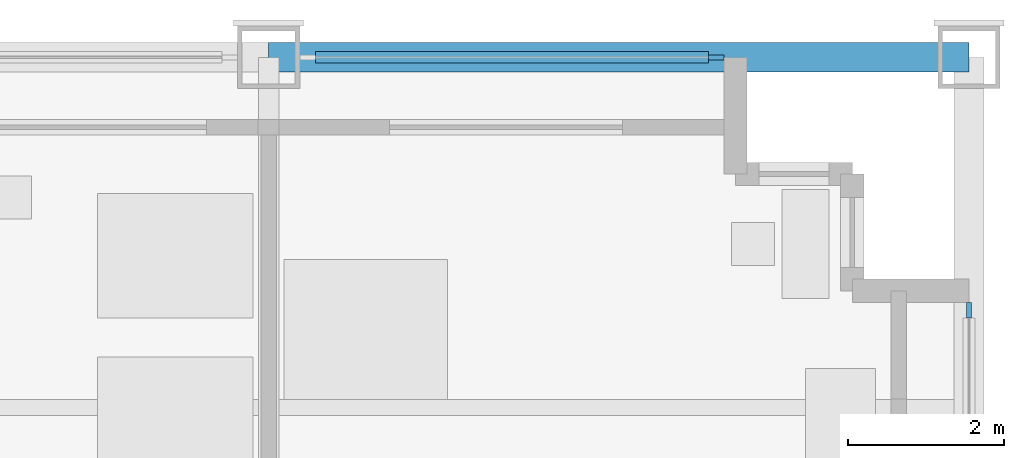
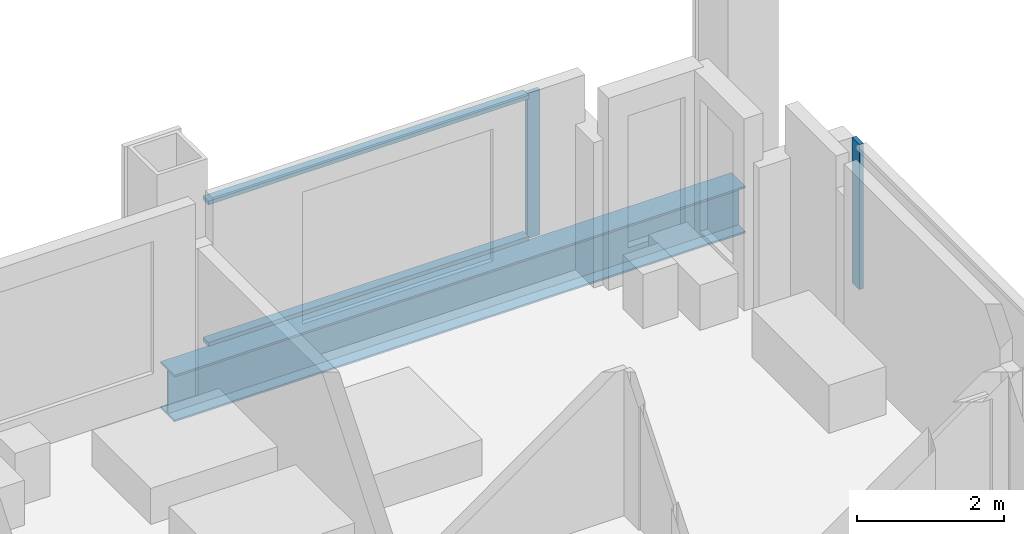
# One storey, part 7 of 16: 4 members, 1 beam, 2 elements without a shape of their own.
"""IFC4 building model written with IfcOpenShell, lengths in metres."""

from ifc_helpers import new_model, si_unit, direction, frame, origin, origin_2d, place, context, subcontext, project, spatial, rectangle, i_section, extrude, material, material_profile, profile_set, type_object, element, aggregate, save


model = new_model("IFC4")

# Units and contexts
model_context = context("Model", 3, precision=1e-05, world=origin(), true_north=direction((0.0, 1.0)))
body_context = subcontext(model_context, "Body", "Model", "MODEL_VIEW")
ifc_project = project(units=[si_unit("LENGTHUNIT", "METRE"), si_unit("AREAUNIT", "SQUARE_METRE"), si_unit("VOLUMEUNIT", "CUBIC_METRE"), si_unit("PLANEANGLEUNIT", "RADIAN"), si_unit("MASSUNIT", "GRAM", prefix="KILO")], contexts=[model_context])

# Site, building, storey
site_placement = place(None, origin())
site = spatial("IfcSite", under=ifc_project, at=site_placement, CompositionType="ELEMENT")
building_placement = place(site_placement, origin())
building = spatial("IfcBuilding", under=site, at=building_placement, Name="Loomwork Tower", CompositionType="ELEMENT")
storey_placement = place(building_placement, frame((0.0, 0.0, 124.800048828125)))
storey = spatial("IfcBuildingStorey", under=building, at=storey_placement, Name="L33", CompositionType="ELEMENT", Elevation=124.800048828125)

# Curtain wall, member
ifc_material_1 = material(Name="Aluminium curtain wall frame", Category="aluminium")
curtain_wall_type = type_object("IfcCurtainWallType", Name="Outer skin glazing hotel", PredefinedType="NOTDEFINED", material=ifc_material_1)
curtain_wall_1_placement = place(storey_placement, origin())
curtain_wall_1 = element("IfcCurtainWall", 1, at=curtain_wall_1_placement, inside=storey, type_object=curtain_wall_type, Name="Outer skin glazing hotel cw/N-36", PredefinedType="NOTDEFINED")
ifc_material_2 = material(Name="Aluminium curtain wall frame", Category="aluminium")
ifc_material_profile_1 = material_profile(ifc_material_2, rectangle(XDim=0.06494140625, YDim=0.199951171875, at=origin_2d()), Name="AL 65x200")
ifc_profile_set_1 = profile_set([ifc_material_profile_1], Name="Aluminium curtain wall frame")
member_type_1 = type_object("IfcMemberType", Name="Outer skin glazing hotel mullion", PredefinedType="MULLION", material=ifc_profile_set_1)
member_1_placement = place(storey_placement, frame((41.75, 36.0, 0.0), z_axis=(0.0, 0.0, 1.0), x_axis=(0.0, -1.0, 0.0)))
member_1 = element("IfcMember", 2, at=member_1_placement, type_object=member_type_1, Name="CW1 mullion 1", PredefinedType="MULLION", context=body_context, shape_type="SweptSolid", body=[
    extrude(rectangle(XDim=0.06494140625, YDim=0.199951171875, at=origin_2d()), origin(), (0.0, 0.0, 1.0), 2.420166015625),
])

curtain_wall_2_placement = place(storey_placement, origin())
curtain_wall_2 = element("IfcCurtainWall", 3, at=curtain_wall_2_placement, inside=storey, type_object=curtain_wall_type, Name="Outer skin glazing hotel cw/E-27", PredefinedType="NOTDEFINED")
member_2_placement = place(storey_placement, frame((45.0, 32.75, 0.0), z_axis=(0.0, 0.0, 1.0), x_axis=(-1.0, 0.0, 0.0)))
member_2 = element("IfcMember", 4, at=member_2_placement, type_object=member_type_1, Name="CW1 mullion 2", PredefinedType="MULLION", context=body_context, shape_type="SweptSolid", body=[
    extrude(rectangle(XDim=0.06494140625, YDim=0.199951171875, at=origin_2d()), origin(), (0.0, 0.0, 1.0), 2.420166015625),
])
aggregate(curtain_wall_2, [member_2])

# Member
ifc_material_3 = material(Name="Aluminium curtain wall frame", Category="aluminium")
ifc_material_profile_2 = material_profile(ifc_material_3, rectangle(XDim=0.14990234375, YDim=0.06494140625, at=origin_2d()), Name="AL 65x150")
ifc_profile_set_2 = profile_set([ifc_material_profile_2], Name="Aluminium curtain wall frame")
member_type_2 = type_object("IfcMemberType", Name="Outer skin glazing hotel transom", PredefinedType="USERDEFINED", material=ifc_profile_set_2)
member_3_placement = place(storey_placement, frame((41.64990234375, 36.0, 0.032470703125), z_axis=(-1.0, 0.0, 0.0), x_axis=(0.0, -1.0, 0.0)))
member_3 = element("IfcMember", 5, at=member_3_placement, type_object=member_type_2, Name="CW1 transom 1.1", ObjectType="TRANSOM", PredefinedType="USERDEFINED", context=body_context, shape_type="SweptSolid", body=[
    extrude(rectangle(XDim=0.14990234375, YDim=0.06494140625, at=origin_2d()), origin(), (0.0, 0.0, 1.0), 5.0498046875),
])

member_4_placement = place(storey_placement, frame((41.64990234375, 36.0, 2.3876953125), z_axis=(-1.0, 0.0, 0.0), x_axis=(0.0, -1.0, 0.0)))
member_4 = element("IfcMember", 6, at=member_4_placement, type_object=member_type_2, Name="CW1 transom 1.2", ObjectType="TRANSOM", PredefinedType="USERDEFINED", context=body_context, shape_type="SweptSolid", body=[
    extrude(rectangle(XDim=0.14990234375, YDim=0.06494140625, at=origin_2d()), origin(), (0.0, 0.0, 1.0), 5.0498046875),
])

aggregate(curtain_wall_1, [member_1, member_3, member_4])

# Beam
ifc_material_4 = material(Name="Steel ASTM A992", Category="steel")
ifc_material_profile_3 = material_profile(ifc_material_4, i_section(OverallWidth=0.381103515625, OverallDepth=0.77978515625, WebThickness=0.01806640625, FlangeThickness=0.0302734375, at=origin_2d()), Name="W30x191")
ifc_profile_set_3 = profile_set([ifc_material_profile_3], Name="Steel ASTM A992")
beam_type = type_object("IfcBeamType", Name="SPANDREL GIRDER W30x191", PredefinedType="SPANDREL", material=ifc_profile_set_3)
beam_placement = place(storey_placement, frame((36.0, 36.0, -0.58984375), z_axis=(1.0, 0.0, 0.0), x_axis=(0.0, 1.0, 0.0)))
element("IfcBeam", 7, at=beam_placement, inside=storey, type_object=beam_type, Name="Spandrel Girder H/6-H/7 L33", PredefinedType="SPANDREL", context=body_context, shape_type="SweptSolid", body=[
    extrude(i_section(OverallWidth=0.381103515625, OverallDepth=0.77978515625, WebThickness=0.01806640625, FlangeThickness=0.0302734375, at=origin_2d()), origin(), (0.0, 0.0, 1.0), 9.0),
])

save(model, "model.ifc")
